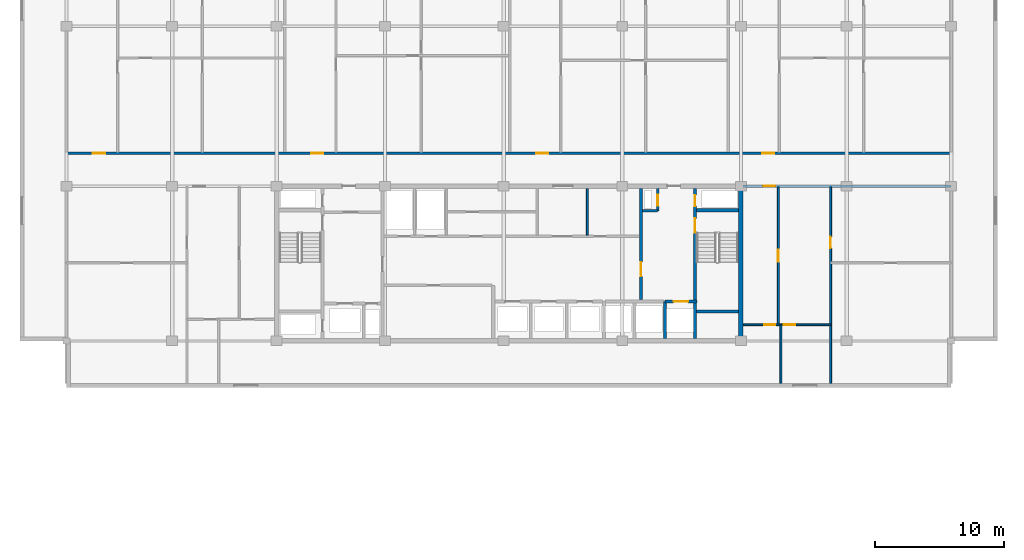
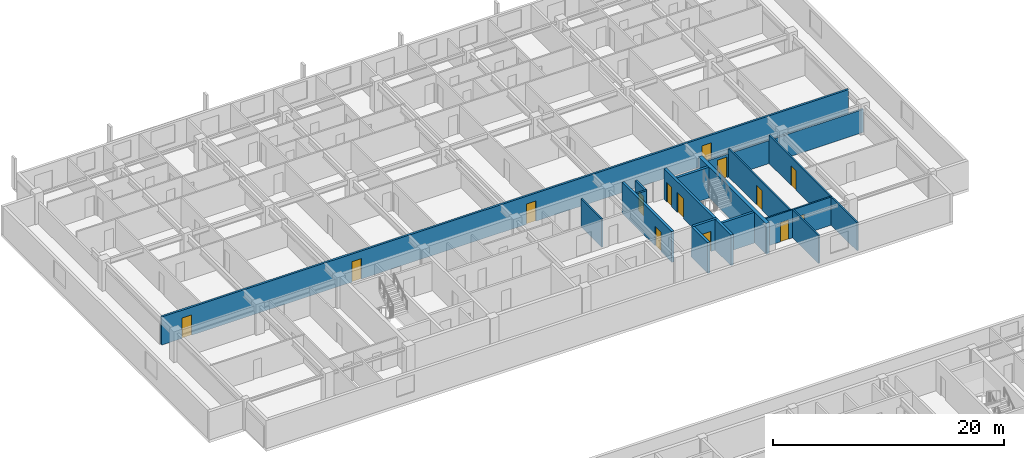
# One storey, part 13 of 23: 16 walls, 14 doors, 14 openings.
"""IFC4 building model written with IfcOpenShell, lengths in metres."""

from ifc_helpers import new_model, si_unit, direction, frame, frame_2d, origin, place, context, subcontext, project, spatial, rectangle, extrude, material, layer, layer_set, type_object, element, fill, save


model = new_model("IFC4")

# Units and contexts
model_context = context("Model", 3, precision=1e-05, world=origin(), true_north=direction((0.0, 1.0)))
body_context = subcontext(model_context, "Body", "Model", "MODEL_VIEW")
ifc_project = project(units=[si_unit("LENGTHUNIT", "METRE"), si_unit("AREAUNIT", "SQUARE_METRE"), si_unit("VOLUMEUNIT", "CUBIC_METRE"), si_unit("PLANEANGLEUNIT", "RADIAN"), si_unit("MASSUNIT", "GRAM", prefix="KILO")], contexts=[model_context])

# Site, building, storey
site_placement = place(None, origin())
site = spatial("IfcSite", under=ifc_project, at=site_placement, CompositionType="ELEMENT")
building_placement = place(site_placement, origin())
building = spatial("IfcBuilding", under=site, at=building_placement, Name="Korimba Cascade Residences", CompositionType="ELEMENT")
storey_placement = place(building_placement, frame((0.0, 0.0, 165.35009765625)))
storey = spatial("IfcBuildingStorey", under=building, at=storey_placement, Name="L47", CompositionType="ELEMENT", Elevation=165.35009765625)

# Wall
ifc_material_1 = material(Name="Concrete C65/80", Category="concrete")
ifc_layer_1 = layer(ifc_material_1, 0.35009765625)
ifc_layer_set_1 = layer_set([ifc_layer_1], Name="Concrete C65/80")
wall_type_1 = type_object("IfcWallType", Name="WAL-CORE-350", PredefinedType="SHEAR", material=ifc_layer_set_1)
wall_1_placement = place(storey_placement, frame((112.074951171875, 55.375, 0.0), z_axis=(0.0, 0.0, 1.0), x_axis=(0.0, 1.0, 0.0)))
element("IfcWall", 1, at=wall_1_placement, inside=storey, type_object=wall_type_1, Name="L47 Core Shear Wall CW-L47-T1-E", PredefinedType="SHEAR", context=body_context, shape_type="SweptSolid", body=[
    extrude(rectangle(XDim=11.64990234375, YDim=0.35009765625, at=frame_2d((5.824951171875, 0.0))), origin(), (0.0, 0.0, 1.0), 3.25),
])

# Wall, opening, door
ifc_material_2 = material(Name="Precast concrete C40/50", Category="concrete")
ifc_layer_2 = layer(ifc_material_2, 0.199951171875)
ifc_layer_set_2 = layer_set([ifc_layer_2], Name="Precast concrete C40/50")
wall_type_2 = type_object("IfcWallType", Name="WAL-IT-200", PredefinedType="PARTITIONING", material=ifc_layer_set_2)
wall_2_placement = place(storey_placement, frame((112.25, 67.199951171875, 0.0), z_axis=(0.0, 0.0, 1.0), x_axis=(1.0, 0.0, 0.0)))
wall_2 = element("IfcWall", 2, at=wall_2_placement, inside=storey, type_object=wall_type_2, Name="L47 Partition Wall WAL-L47-T1-FE-N", PredefinedType="PARTITIONING", context=body_context, shape_type="SweptSolid", body=[
    extrude(rectangle(XDim=16.14990234375, YDim=0.199951171875, at=frame_2d((8.074951171875, 0.0))), origin(), (0.0, 0.0, 1.0), 2.43310546875),
])
opening_1_placement = place(wall_2_placement, frame((1.580078125, 0.0, 0.0)))
opening_1 = element("IfcOpeningElement", 3, at=opening_1_placement, cuts=wall_2, Name="Opening D-UN1", PredefinedType="OPENING", context=body_context, shape_type="SweptSolid", body=[
    extrude(rectangle(XDim=0.949951171875, YDim=2.14990234375, at=frame_2d((0.47509765625, 1.074951171875))), frame((0.0, 0.10986328125, 0.0), z_axis=(0.0, -1.0, 0.0), x_axis=(1.0, 0.0, 0.0)), (0.0, 0.0, 1.0), 0.219970703125),
])
ifc_material_3 = material(Name="Fire-Rated Hardwood Apartment Entrance Door", Category="wood")
door_type_1 = type_object("IfcDoorType", Name="DR-FD60-950", OperationType="NOTDEFINED", PredefinedType="DOOR", material=ifc_material_3)
door_1_placement = place(opening_1_placement, origin())
door_1 = element("IfcDoor", 4, at=door_1_placement, inside=storey, type_object=door_type_1, Name="L47-T1-FE Entrance Door", OperationType="SINGLE_SWING_RIGHT", OverallHeight=2.14990234375, OverallWidth=0.949951171875, PredefinedType="DOOR", context=body_context, shape_type="SweptSolid", body=[
    extrude(rectangle(XDim=0.949951171875, YDim=2.14990234375, at=frame_2d((0.47509765625, 1.074951171875))), frame((0.0, 0.02490234375, 0.0), z_axis=(0.0, -1.0, 0.0), x_axis=(1.0, 0.0, 0.0)), (0.0, 0.0, 1.0), 0.050048828125),
])
fill(opening_1, door_1)

# Wall, openings, doors
wall_3_placement = place(storey_placement, frame((59.800048828125, 69.75, 0.0), z_axis=(0.0, 0.0, 1.0), x_axis=(1.0, 0.0, 0.0)))
wall_3 = element("IfcWall", 5, at=wall_3_placement, inside=storey, type_object=wall_type_2, Name="L47 Partition Wall WAL-L47-T1-CORN", PredefinedType="PARTITIONING", context=body_context, shape_type="SweptSolid", body=[
    extrude(rectangle(XDim=68.599853515625, YDim=0.199951171875, at=frame_2d((34.2998046875, 0.0))), origin(), (0.0, 0.0, 1.0), 2.969970703125),
])
opening_2_placement = place(wall_3_placement, frame((2.044921875, 0.0, 0.0)))
opening_2 = element("IfcOpeningElement", 6, at=opening_2_placement, cuts=wall_3, Name="Opening D-UN1", PredefinedType="OPENING", context=body_context, shape_type="SweptSolid", body=[
    extrude(rectangle(XDim=0.949951171875, YDim=2.14990234375, at=frame_2d((0.47509765625, 1.074951171875))), frame((0.0, 0.10986328125, 0.0), z_axis=(0.0, -1.0, 0.0), x_axis=(1.0, 0.0, 0.0)), (0.0, 0.0, 1.0), 0.219970703125),
])
opening_3_placement = place(wall_3_placement, frame((18.97998046875, 0.0, 0.0)))
opening_3 = element("IfcOpeningElement", 7, at=opening_3_placement, cuts=wall_3, Name="Opening D-UN1", PredefinedType="OPENING", context=body_context, shape_type="SweptSolid", body=[
    extrude(rectangle(XDim=0.949951171875, YDim=2.14990234375, at=frame_2d((0.47509765625, 1.074951171875))), frame((0.0, 0.10986328125, 0.0), z_axis=(0.0, -1.0, 0.0), x_axis=(1.0, 0.0, 0.0)), (0.0, 0.0, 1.0), 0.219970703125),
])
opening_4_placement = place(wall_3_placement, frame((36.419921875, 0.0, 0.0)))
opening_4 = element("IfcOpeningElement", 8, at=opening_4_placement, cuts=wall_3, Name="Opening D-UN1", PredefinedType="OPENING", context=body_context, shape_type="SweptSolid", body=[
    extrude(rectangle(XDim=0.949951171875, YDim=2.14990234375, at=frame_2d((0.47509765625, 1.074951171875))), frame((0.0, 0.10986328125, 0.0), z_axis=(0.0, -1.0, 0.0), x_axis=(1.0, 0.0, 0.0)), (0.0, 0.0, 1.0), 0.219970703125),
])
opening_5_placement = place(wall_3_placement, frame((53.93603515625, 0.0, 0.0)))
opening_5 = element("IfcOpeningElement", 9, at=opening_5_placement, cuts=wall_3, Name="Opening D-UN1", PredefinedType="OPENING", context=body_context, shape_type="SweptSolid", body=[
    extrude(rectangle(XDim=0.949951171875, YDim=2.14990234375, at=frame_2d((0.47509765625, 1.074951171875))), frame((0.0, 0.10986328125, 0.0), z_axis=(0.0, -1.0, 0.0), x_axis=(1.0, 0.0, 0.0)), (0.0, 0.0, 1.0), 0.219970703125),
])
door_2_placement = place(opening_2_placement, origin())
door_2 = element("IfcDoor", 10, at=door_2_placement, inside=storey, type_object=door_type_1, Name="Unit L47-T1-U01 Entrance Door", OperationType="SINGLE_SWING_RIGHT", OverallHeight=2.14990234375, OverallWidth=0.949951171875, PredefinedType="DOOR", context=body_context, shape_type="SweptSolid", body=[
    extrude(rectangle(XDim=0.949951171875, YDim=2.14990234375, at=frame_2d((0.47509765625, 1.074951171875))), frame((0.0, 0.02490234375, 0.0), z_axis=(0.0, -1.0, 0.0), x_axis=(1.0, 0.0, 0.0)), (0.0, 0.0, 1.0), 0.050048828125),
])
fill(opening_2, door_2)
door_3_placement = place(opening_3_placement, origin())
door_3 = element("IfcDoor", 11, at=door_3_placement, inside=storey, type_object=door_type_1, Name="Unit L47-T1-U02 Entrance Door", OperationType="SINGLE_SWING_LEFT", OverallHeight=2.14990234375, OverallWidth=0.949951171875, PredefinedType="DOOR", context=body_context, shape_type="SweptSolid", body=[
    extrude(rectangle(XDim=0.949951171875, YDim=2.14990234375, at=frame_2d((0.47509765625, 1.074951171875))), frame((0.0, 0.02490234375, 0.0), z_axis=(0.0, -1.0, 0.0), x_axis=(1.0, 0.0, 0.0)), (0.0, 0.0, 1.0), 0.050048828125),
])
fill(opening_3, door_3)
door_4_placement = place(opening_4_placement, origin())
door_4 = element("IfcDoor", 12, at=door_4_placement, inside=storey, type_object=door_type_1, Name="Unit L47-T1-U03 Entrance Door", OperationType="SINGLE_SWING_RIGHT", OverallHeight=2.14990234375, OverallWidth=0.949951171875, PredefinedType="DOOR", context=body_context, shape_type="SweptSolid", body=[
    extrude(rectangle(XDim=0.949951171875, YDim=2.14990234375, at=frame_2d((0.47509765625, 1.074951171875))), frame((0.0, 0.02490234375, 0.0), z_axis=(0.0, -1.0, 0.0), x_axis=(1.0, 0.0, 0.0)), (0.0, 0.0, 1.0), 0.050048828125),
])
fill(opening_4, door_4)
door_5_placement = place(opening_5_placement, origin())
door_5 = element("IfcDoor", 13, at=door_5_placement, inside=storey, type_object=door_type_1, Name="Unit L47-T1-U04 Entrance Door", OperationType="SINGLE_SWING_LEFT", OverallHeight=2.14990234375, OverallWidth=0.949951171875, PredefinedType="DOOR", context=body_context, shape_type="SweptSolid", body=[
    extrude(rectangle(XDim=0.949951171875, YDim=2.14990234375, at=frame_2d((0.47509765625, 1.074951171875))), frame((0.0, 0.02490234375, 0.0), z_axis=(0.0, -1.0, 0.0), x_axis=(1.0, 0.0, 0.0)), (0.0, 0.0, 1.0), 0.050048828125),
])
fill(opening_5, door_5)

# Wall
ifc_material_4 = material(Name="Insulated Acoustic Stud Partition", Category="gypsum")
ifc_layer_3 = layer(ifc_material_4, 0.14990234375)
ifc_layer_set_3 = layer_set([ifc_layer_3], Name="Insulated Acoustic Stud Partition")
wall_type_3 = type_object("IfcWallType", Name="WAL-PART-150", PredefinedType="PARTITIONING", material=ifc_layer_set_3)
wall_4_placement = place(storey_placement, frame((100.199951171875, 63.39990234375, 0.0), z_axis=(0.0, 0.0, 1.0), x_axis=(0.0, 1.0, 0.0)))
element("IfcWall", 14, at=wall_4_placement, inside=storey, type_object=wall_type_3, Name="L47 Partition Wall CW-L47-T1-THE", PredefinedType="PARTITIONING", context=body_context, shape_type="SweptSolid", body=[
    extrude(rectangle(XDim=3.60009765625, YDim=0.14990234375, at=frame_2d((1.800048828125, 0.0))), origin(), (0.0, 0.0, 1.0), 2.969970703125),
])

# Wall, opening, door
wall_5_placement = place(storey_placement, frame((119.050048828125, 51.89990234375, 0.0), z_axis=(0.0, 0.0, 1.0), x_axis=(0.0, 1.0, 0.0)))
wall_5 = element("IfcWall", 15, at=wall_5_placement, inside=storey, type_object=wall_type_3, Name="L47 Partition Wall WAL-L47-T1-FE-STV", PredefinedType="PARTITIONING", context=body_context, shape_type="SweptSolid", body=[
    extrude(rectangle(XDim=15.25, YDim=0.14990234375, at=frame_2d((7.625, 0.0))), origin(), (0.0, 0.0, 1.0), 2.969970703125),
])
opening_6_placement = place(wall_5_placement, frame((10.5, 0.0, 0.0)))
opening_6 = element("IfcOpeningElement", 16, at=opening_6_placement, cuts=wall_5, Name="Opening D-IN2", PredefinedType="OPENING", context=body_context, shape_type="SweptSolid", body=[
    extrude(rectangle(XDim=0.8798828125, YDim=2.06005859375, at=frame_2d((0.43994140625, 1.030029296875))), frame((0.0, 0.0849609375, 0.0), z_axis=(0.0, -1.0, 0.0), x_axis=(1.0, 0.0, 0.0)), (0.0, 0.0, 1.0), 0.169921875),
])
ifc_material_5 = material(Name="Acoustic Timber Bedroom Door", Category="wood")
door_type_2 = type_object("IfcDoorType", Name="DR-INT-880", OperationType="NOTDEFINED", PredefinedType="DOOR", material=ifc_material_5)
door_6_placement = place(opening_6_placement, origin())
door_6 = element("IfcDoor", 17, at=door_6_placement, inside=storey, type_object=door_type_2, Name="L47-T1-FE Study Door", OperationType="SINGLE_SWING_RIGHT", OverallHeight=2.06005859375, OverallWidth=0.8798828125, PredefinedType="DOOR", context=body_context, shape_type="SweptSolid", body=[
    extrude(rectangle(XDim=0.8798828125, YDim=2.06005859375, at=frame_2d((0.43994140625, 1.030029296875))), frame((0.0, 0.02490234375, 0.0), z_axis=(0.0, -1.0, 0.0), x_axis=(1.0, 0.0, 0.0)), (0.0, 0.0, 1.0), 0.050048828125),
])
fill(opening_6, door_6)

wall_6_placement = place(storey_placement, frame((115.0, 56.449951171875, 0.0), z_axis=(0.0, 0.0, 1.0), x_axis=(0.0, 1.0, 0.0)))
wall_6 = element("IfcWall", 18, at=wall_6_placement, inside=storey, type_object=wall_type_3, Name="L47 Partition Wall WAL-L47-T1-FE-VN", PredefinedType="PARTITIONING", context=body_context, shape_type="SweptSolid", body=[
    extrude(rectangle(XDim=10.699951171875, YDim=0.14990234375, at=frame_2d((5.35009765625, 0.0))), origin(), (0.0, 0.0, 1.0), 2.969970703125),
])
opening_7_placement = place(wall_6_placement, frame((4.889892578125, 0.0, 0.0)))
opening_7 = element("IfcOpeningElement", 19, at=opening_7_placement, cuts=wall_6, Name="Opening D-IN1", PredefinedType="OPENING", context=body_context, shape_type="SweptSolid", body=[
    extrude(rectangle(XDim=0.919921875, YDim=2.080078125, at=frame_2d((0.4599609375, 1.0400390625))), frame((0.0, 0.0849609375, 0.0), z_axis=(0.0, -1.0, 0.0), x_axis=(1.0, 0.0, 0.0)), (0.0, 0.0, 1.0), 0.169921875),
])
ifc_material_6 = material(Name="Acoustic Timber Living Door", Category="wood")
door_type_3 = type_object("IfcDoorType", Name="DR-INT-920", OperationType="NOTDEFINED", PredefinedType="DOOR", material=ifc_material_6)
door_7_placement = place(opening_7_placement, origin())
door_7 = element("IfcDoor", 20, at=door_7_placement, inside=storey, type_object=door_type_3, Name="L47-T1-FE Living Door", OperationType="SINGLE_SWING_LEFT", OverallHeight=2.080078125, OverallWidth=0.919921875, PredefinedType="DOOR", context=body_context, shape_type="SweptSolid", body=[
    extrude(rectangle(XDim=0.919921875, YDim=2.080078125, at=frame_2d((0.4599609375, 1.0400390625))), frame((0.0, 0.02490234375, 0.0), z_axis=(0.0, -1.0, 0.0), x_axis=(1.0, 0.0, 0.0)), (0.0, 0.0, 1.0), 0.050048828125),
])
fill(opening_7, door_7)

# Wall
wall_7_placement = place(storey_placement, frame((115.199951171875, 51.89990234375, 0.0), z_axis=(0.0, 0.0, 1.0), x_axis=(0.0, 1.0, 0.0)))
element("IfcWall", 21, at=wall_7_placement, inside=storey, type_object=wall_type_3, Name="L47 Partition Wall WAL-L47-T1-FE-VS", PredefinedType="PARTITIONING", context=body_context, shape_type="SweptSolid", body=[
    extrude(rectangle(XDim=4.550048828125, YDim=0.14990234375, at=frame_2d((2.27490234375, 0.0))), origin(), (0.0, 0.0, 1.0), 2.969970703125),
])

# Wall, openings, doors
wall_8_placement = place(storey_placement, frame((112.27001953125, 56.449951171875, 0.0), z_axis=(0.0, 0.0, 1.0), x_axis=(1.0, 0.0, 0.0)))
wall_8 = element("IfcWall", 22, at=wall_8_placement, inside=storey, type_object=wall_type_3, Name="L47 Partition Wall WAL-L47-T1-FE-H", PredefinedType="PARTITIONING", context=body_context, shape_type="SweptSolid", body=[
    extrude(rectangle(XDim=6.760009765625, YDim=0.14990234375, at=frame_2d((3.3798828125, 0.0))), origin(), (0.0, 0.0, 1.0), 2.969970703125),
])
opening_8_placement = place(wall_8_placement, frame((1.6396484375, 0.0, 0.0)))
opening_8 = element("IfcOpeningElement", 23, at=opening_8_placement, cuts=wall_8, Name="Opening D-BT1", PredefinedType="OPENING", context=body_context, shape_type="SweptSolid", body=[
    extrude(rectangle(XDim=0.840087890625, YDim=2.0400390625, at=frame_2d((0.419921875, 1.02001953125))), frame((0.0, 0.0849609375, 0.0), z_axis=(0.0, -1.0, 0.0), x_axis=(1.0, 0.0, 0.0)), (0.0, 0.0, 1.0), 0.169921875),
])
opening_9_placement = place(wall_8_placement, frame((3.160400390625, 0.0, 0.0)))
opening_9 = element("IfcOpeningElement", 24, at=opening_9_placement, cuts=wall_8, Name="Opening D-IN2", PredefinedType="OPENING", context=body_context, shape_type="SweptSolid", body=[
    extrude(rectangle(XDim=0.8798828125, YDim=2.06005859375, at=frame_2d((0.43994140625, 1.030029296875))), frame((0.0, 0.0849609375, 0.0), z_axis=(0.0, -1.0, 0.0), x_axis=(1.0, 0.0, 0.0)), (0.0, 0.0, 1.0), 0.169921875),
])
ifc_material_7 = material(Name="Moisture-Resistant Bathroom Timber Door", Category="wood")
door_type_4 = type_object("IfcDoorType", Name="DR-INT-850", OperationType="NOTDEFINED", PredefinedType="DOOR", material=ifc_material_7)
door_8_placement = place(opening_8_placement, origin())
door_8 = element("IfcDoor", 25, at=door_8_placement, inside=storey, type_object=door_type_4, Name="L47-T1-FE Bathroom Door", OperationType="SINGLE_SWING_RIGHT", OverallHeight=2.0400390625, OverallWidth=0.840087890625, PredefinedType="DOOR", context=body_context, shape_type="SweptSolid", body=[
    extrude(rectangle(XDim=0.840087890625, YDim=2.0400390625, at=frame_2d((0.419921875, 1.02001953125))), frame((0.0, 0.02490234375, 0.0), z_axis=(0.0, -1.0, 0.0), x_axis=(1.0, 0.0, 0.0)), (0.0, 0.0, 1.0), 0.050048828125),
])
fill(opening_8, door_8)
door_9_placement = place(opening_9_placement, origin())
door_9 = element("IfcDoor", 26, at=door_9_placement, inside=storey, type_object=door_type_2, Name="L47-T1-FE Bedroom Door", OperationType="SINGLE_SWING_LEFT", OverallHeight=2.06005859375, OverallWidth=0.8798828125, PredefinedType="DOOR", context=body_context, shape_type="SweptSolid", body=[
    extrude(rectangle(XDim=0.8798828125, YDim=2.06005859375, at=frame_2d((0.43994140625, 1.030029296875))), frame((0.0, 0.02490234375, 0.0), z_axis=(0.0, -1.0, 0.0), x_axis=(1.0, 0.0, 0.0)), (0.0, 0.0, 1.0), 0.050048828125),
])
fill(opening_9, door_9)

# Wall
ifc_material_8 = material(Name="Concrete C40/50", Category="concrete")
ifc_layer_4 = layer(ifc_material_8, 0.199951171875)
ifc_layer_set_4 = layer_set([ifc_layer_4], Name="Concrete C40/50")
wall_type_4 = type_object("IfcWallType", Name="WAL-PART-200", PredefinedType="PARTITIONING", material=ifc_layer_set_4)
wall_9_placement = place(storey_placement, frame((104.449951171875, 65.280029296875, 0.0), z_axis=(0.0, 0.0, 1.0), x_axis=(1.0, 0.0, 0.0)))
element("IfcWall", 27, at=wall_9_placement, inside=storey, type_object=wall_type_4, Name="L47 Partition Wall CW-L47-T1-HYDW2S", PredefinedType="PARTITIONING", context=body_context, shape_type="SweptSolid", body=[
    extrude(rectangle(XDim=1.199951171875, YDim=0.199951171875, at=frame_2d((0.60009765625, 0.0))), origin(), (0.0, 0.0, 1.0), 2.969970703125),
])

# Wall, opening, door
wall_10_placement = place(storey_placement, frame((105.64990234375, 65.280029296875, 0.0), z_axis=(0.0, 0.0, 1.0), x_axis=(0.0, 1.0, 0.0)))
wall_10 = element("IfcWall", 28, at=wall_10_placement, inside=storey, type_object=wall_type_4, Name="L47 Partition Wall CW-L47-T1-HYDW2E", PredefinedType="PARTITIONING", context=body_context, shape_type="SweptSolid", body=[
    extrude(rectangle(XDim=1.719970703125, YDim=0.199951171875, at=frame_2d((0.85986328125, 0.0))), origin(), (0.0, 0.0, 1.0), 2.969970703125),
])
opening_10_placement = place(wall_10_placement, frame((0.39990234375, 0.0, 0.0)))
opening_10 = element("IfcOpeningElement", 29, at=opening_10_placement, cuts=wall_10, Name="Opening D-RS1", PredefinedType="OPENING", context=body_context, shape_type="SweptSolid", body=[
    extrude(rectangle(XDim=0.85009765625, YDim=2.050048828125, at=frame_2d((0.425048828125, 1.02490234375))), frame((0.0, 0.10986328125, 0.0), z_axis=(0.0, -1.0, 0.0), x_axis=(1.0, 0.0, 0.0)), (0.0, 0.0, 1.0), 0.219970703125),
])
ifc_material_9 = material(Name="Fire-Rated Steel Riser Access Door", Category="steel")
door_type_5 = type_object("IfcDoorType", Name="DR-FD60-850", OperationType="NOTDEFINED", PredefinedType="DOOR", material=ifc_material_9)
door_10_placement = place(opening_10_placement, origin())
door_10 = element("IfcDoor", 30, at=door_10_placement, inside=storey, type_object=door_type_5, Name="L47 East Hydrant Door", OperationType="SINGLE_SWING_LEFT", OverallHeight=2.050048828125, OverallWidth=0.85009765625, PredefinedType="DOOR", context=body_context, shape_type="SweptSolid", body=[
    extrude(rectangle(XDim=0.85009765625, YDim=2.050048828125, at=frame_2d((0.425048828125, 1.02490234375))), frame((0.0, 0.02490234375, 0.0), z_axis=(0.0, -1.0, 0.0), x_axis=(1.0, 0.0, 0.0)), (0.0, 0.0, 1.0), 0.050048828125),
])
fill(opening_10, door_10)

# Wall
ifc_material_10 = material(Name="Concrete C50/60", Category="concrete")
ifc_layer_5 = layer(ifc_material_10, 0.25)
ifc_layer_set_5 = layer_set([ifc_layer_5], Name="Concrete C50/60")
wall_type_5 = type_object("IfcWallType", Name="WAL-SHAFT-250", PredefinedType="SHEAR", material=ifc_layer_set_5)
wall_11_placement = place(storey_placement, frame((106.219970703125, 55.39990234375, 0.0), z_axis=(0.0, 0.0, 1.0), x_axis=(0.0, 1.0, 0.0)))
element("IfcWall", 31, at=wall_11_placement, inside=storey, type_object=wall_type_5, Name="L47 Core Shear Wall CW-L47-T1-FF2W", PredefinedType="SHEAR", context=body_context, shape_type="SweptSolid", body=[
    extrude(rectangle(XDim=2.85009765625, YDim=0.25, at=frame_2d((1.425048828125, 0.0))), origin(), (0.0, 0.0, 1.0), 3.25),
])

# Wall, opening, door
wall_12_placement = place(storey_placement, frame((106.219970703125, 58.25, 0.0), z_axis=(0.0, 0.0, 1.0), x_axis=(1.0, 0.0, 0.0)))
wall_12 = element("IfcWall", 32, at=wall_12_placement, inside=storey, type_object=wall_type_5, Name="L47 Core Shear Wall CW-L47-T1-FF2N", PredefinedType="SHEAR", context=body_context, shape_type="SweptSolid", body=[
    extrude(rectangle(XDim=2.4599609375, YDim=0.25, at=frame_2d((1.22998046875, 0.0))), origin(), (0.0, 0.0, 1.0), 3.25),
])
opening_11_placement = place(wall_12_placement, frame((0.669921875, 0.0, 0.0)))
opening_11 = element("IfcOpeningElement", 33, at=opening_11_placement, cuts=wall_12, Name="Opening LD-01", PredefinedType="OPENING", context=body_context, shape_type="SweptSolid", body=[
    extrude(rectangle(XDim=1.1201171875, YDim=2.1201171875, at=frame_2d((0.56005859375, 1.06005859375))), frame((0.0, 0.135009765625, 0.0), z_axis=(0.0, -1.0, 0.0), x_axis=(1.0, 0.0, 0.0)), (0.0, 0.0, 1.0), 0.27001953125),
])
ifc_material_11 = material(Name="Stainless Steel Lift Landing Sliding Door", Category="steel")
door_type_6 = type_object("IfcDoorType", Name="DR-LIFT-1100", OperationType="NOTDEFINED", PredefinedType="DOOR", material=ifc_material_11)
door_11_placement = place(opening_11_placement, origin())
door_11 = element("IfcDoor", 34, at=door_11_placement, inside=storey, type_object=door_type_6, Name="L47 Firefighting Lift Landing Door FFL-W2", OperationType="SLIDING_TO_RIGHT", OverallHeight=2.1201171875, OverallWidth=1.1201171875, PredefinedType="DOOR", context=body_context, shape_type="SweptSolid", body=[
    extrude(rectangle(XDim=1.1201171875, YDim=2.1201171875, at=frame_2d((0.56005859375, 1.06005859375))), frame((0.0, 0.02490234375, 0.0), z_axis=(0.0, -1.0, 0.0), x_axis=(1.0, 0.0, 0.0)), (0.0, 0.0, 1.0), 0.050048828125),
])
fill(opening_11, door_11)

wall_13_placement = place(storey_placement, frame((104.35009765625, 58.39990234375, 0.0), z_axis=(0.0, 0.0, 1.0), x_axis=(0.0, 1.0, 0.0)))
wall_13 = element("IfcWall", 35, at=wall_13_placement, inside=storey, type_object=wall_type_5, Name="L47 Core Shear Wall CW-L47-T1-LLEV", PredefinedType="SHEAR", context=body_context, shape_type="SweptSolid", body=[
    extrude(rectangle(XDim=8.60009765625, YDim=0.25, at=frame_2d((4.300048828125, 0.0))), origin(), (0.0, 0.0, 1.0), 3.25),
])
opening_12_placement = place(wall_13_placement, frame((1.800048828125, 0.0, 0.0)))
opening_12 = element("IfcOpeningElement", 36, at=opening_12_placement, cuts=wall_13, Name="Opening D-FD1", PredefinedType="OPENING", context=body_context, shape_type="SweptSolid", body=[
    extrude(rectangle(XDim=1.10009765625, YDim=2.10009765625, at=frame_2d((0.550048828125, 1.050048828125))), frame((0.0, 0.135009765625, 0.0), z_axis=(0.0, -1.0, 0.0), x_axis=(1.0, 0.0, 0.0)), (0.0, 0.0, 1.0), 0.27001953125),
])
ifc_material_12 = material(Name="Fire-Rated Steel Core Door", Category="steel")
door_type_7 = type_object("IfcDoorType", Name="DR-FD120-1100", OperationType="NOTDEFINED", PredefinedType="DOOR", material=ifc_material_12)
door_12_placement = place(opening_12_placement, origin())
door_12 = element("IfcDoor", 37, at=door_12_placement, inside=storey, type_object=door_type_7, Name="L47 Lift Lobby to East Firefighting Lobby Door", OperationType="SINGLE_SWING_RIGHT", OverallHeight=2.10009765625, OverallWidth=1.10009765625, PredefinedType="DOOR", context=body_context, shape_type="SweptSolid", body=[
    extrude(rectangle(XDim=1.10009765625, YDim=2.10009765625, at=frame_2d((0.550048828125, 1.050048828125))), frame((0.0, 0.02490234375, 0.0), z_axis=(0.0, -1.0, 0.0), x_axis=(1.0, 0.0, 0.0)), (0.0, 0.0, 1.0), 0.050048828125),
])
fill(opening_12, door_12)

# Wall, openings, doors
wall_14_placement = place(storey_placement, frame((108.534912109375, 55.39990234375, 0.0), z_axis=(0.0, 0.0, 1.0), x_axis=(0.0, 1.0, 0.0)))
wall_14 = element("IfcWall", 38, at=wall_14_placement, inside=storey, type_object=wall_type_5, Name="L47 Core Shear Wall CW-L47-T1-STW2W", PredefinedType="SHEAR", context=body_context, shape_type="SweptSolid", body=[
    extrude(rectangle(XDim=11.60009765625, YDim=0.25, at=frame_2d((5.800048828125, 0.0))), origin(), (0.0, 0.0, 1.0), 3.25),
])
opening_13_placement = place(wall_14_placement, frame((8.199951171875, 0.0, 0.0)))
opening_13 = element("IfcOpeningElement", 39, at=opening_13_placement, cuts=wall_14, Name="Opening D-FD1", PredefinedType="OPENING", context=body_context, shape_type="SweptSolid", body=[
    extrude(rectangle(XDim=1.10009765625, YDim=2.10009765625, at=frame_2d((0.550048828125, 1.050048828125))), frame((0.0, 0.135009765625, 0.0), z_axis=(0.0, -1.0, 0.0), x_axis=(1.0, 0.0, 0.0)), (0.0, 0.0, 1.0), 0.27001953125),
])
opening_14_placement = place(wall_14_placement, frame((10.25, 0.0, 0.0)))
opening_14 = element("IfcOpeningElement", 40, at=opening_14_placement, cuts=wall_14, Name="Opening D-RS1", PredefinedType="OPENING", context=body_context, shape_type="SweptSolid", body=[
    extrude(rectangle(XDim=0.85009765625, YDim=2.050048828125, at=frame_2d((0.425048828125, 1.02490234375))), frame((0.0, 0.135009765625, 0.0), z_axis=(0.0, -1.0, 0.0), x_axis=(1.0, 0.0, 0.0)), (0.0, 0.0, 1.0), 0.27001953125),
])
door_13_placement = place(opening_13_placement, origin())
door_13 = element("IfcDoor", 41, at=door_13_placement, inside=storey, type_object=door_type_7, Name="L47 Fire Stair ST-W2 Door", OperationType="SINGLE_SWING_LEFT", OverallHeight=2.10009765625, OverallWidth=1.10009765625, PredefinedType="DOOR", context=body_context, shape_type="SweptSolid", body=[
    extrude(rectangle(XDim=1.10009765625, YDim=2.10009765625, at=frame_2d((0.550048828125, 1.050048828125))), frame((0.0, 0.02490234375, 0.0), z_axis=(0.0, -1.0, 0.0), x_axis=(1.0, 0.0, 0.0)), (0.0, 0.0, 1.0), 0.050048828125),
])
fill(opening_13, door_13)
door_14_placement = place(opening_14_placement, origin())
door_14 = element("IfcDoor", 42, at=door_14_placement, inside=storey, type_object=door_type_5, Name="L47 East Riser Door", OperationType="SINGLE_SWING_RIGHT", OverallHeight=2.050048828125, OverallWidth=0.85009765625, PredefinedType="DOOR", context=body_context, shape_type="SweptSolid", body=[
    extrude(rectangle(XDim=0.85009765625, YDim=2.050048828125, at=frame_2d((0.425048828125, 1.02490234375))), frame((0.0, 0.02490234375, 0.0), z_axis=(0.0, -1.0, 0.0), x_axis=(1.0, 0.0, 0.0)), (0.0, 0.0, 1.0), 0.050048828125),
])
fill(opening_14, door_14)

# Walls
for number, where, z_axis, x_axis, name in (
    (43, (108.659912109375, 57.47509765625, 0.0), (0.0, 0.0, 1.0), (1.0, 0.0, 0.0), "L47 Core Shear Wall CW-L47-T1-STW2S"),
    (44, (108.659912109375, 65.324951171875, 0.0), (0.0, 0.0, 1.0), (1.0, 0.0, 0.0), "L47 Core Shear Wall CW-L47-T1-STW2N"),
):
    element("IfcWall", number, at=place(storey_placement, frame(where, z_axis=z_axis, x_axis=x_axis)), inside=storey, type_object=wall_type_5, Name=name, PredefinedType="SHEAR", context=body_context, shape_type="SweptSolid", body=[
        extrude(rectangle(XDim=3.239990234375, YDim=0.25, at=frame_2d((1.6201171875, 0.0))), origin(), (0.0, 0.0, 1.0), 3.25),
    ])

save(model, "model.ifc")
